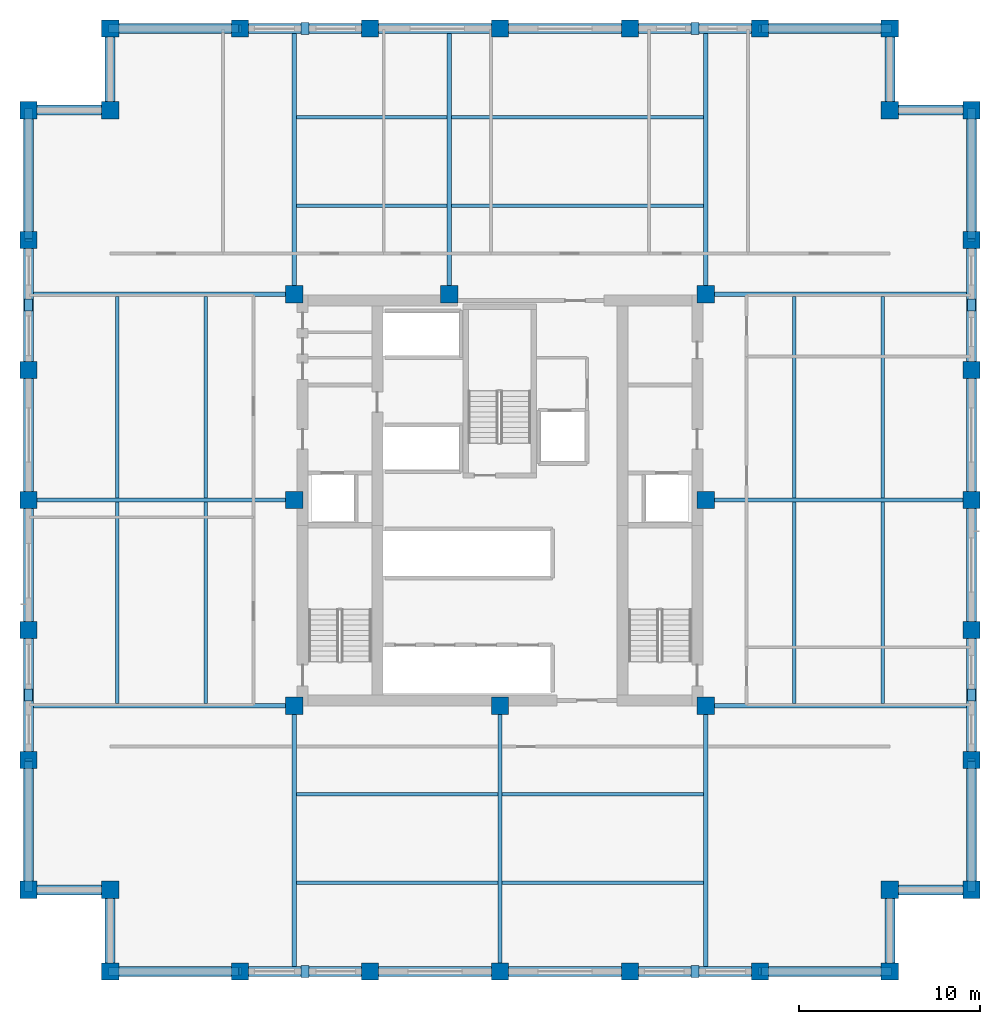
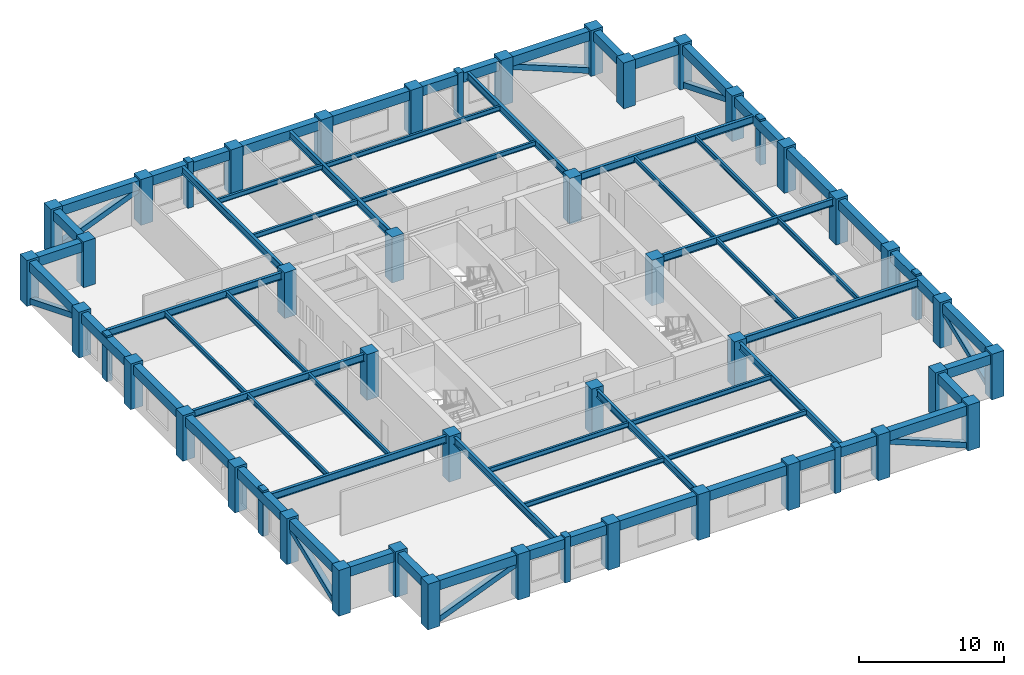
# One storey, part 1 of 9: 60 beams, 40 columns, 16 members.
"""IFC4 building model written with IfcOpenShell, lengths in metres."""

from ifc_helpers import new_model, si_unit, direction, frame, origin, origin_2d, place, context, subcontext, project, spatial, rectangle, hollow_rectangle, i_section, extrude, material, material_profile, profile_set, type_object, element, save


model = new_model("IFC4")

# Units and contexts
model_context = context("Model", 3, precision=1e-05, world=origin(), true_north=direction((0.0, 1.0)))
body_context = subcontext(model_context, "Body", "Model", "MODEL_VIEW")
ifc_project = project(units=[si_unit("LENGTHUNIT", "METRE"), si_unit("AREAUNIT", "SQUARE_METRE"), si_unit("VOLUMEUNIT", "CUBIC_METRE"), si_unit("PLANEANGLEUNIT", "RADIAN"), si_unit("MASSUNIT", "GRAM", prefix="KILO")], contexts=[model_context])

# Site, building, storey
site_placement = place(None, origin())
site = spatial("IfcSite", under=ifc_project, at=site_placement, CompositionType="ELEMENT")
building_placement = place(site_placement, origin())
building = spatial("IfcBuilding", under=site, at=building_placement, Name="Nhamokura Convention Tower", CompositionType="ELEMENT")
storey_placement = place(building_placement, frame((0.0, 0.0, 118.300048828125)))
storey = spatial("IfcBuildingStorey", under=building, at=storey_placement, Name="L28", CompositionType="ELEMENT", Elevation=118.300048828125)

# Columns
ifc_material_1 = material(Name="Concrete C60/75", Category="concrete")
ifc_material_profile_1 = material_profile(ifc_material_1, rectangle(XDim=0.949951171875, YDim=0.949951171875, at=origin_2d()))
ifc_profile_set_1 = profile_set([ifc_material_profile_1], Name="Concrete C60/75")
column_type = type_object("IfcColumnType", Name="TubeColumn_Z2_950", PredefinedType="COLUMN", material=ifc_profile_set_1)
for number, where, z_axis, x_axis, name in (
    (1, (20.64990234375, 20.64990234375, 0.0), (0.0, 0.0, 1.0), (1.0, 0.0, 0.0), "L28 Core Column CC-SW"),
    (2, (32.0, 20.64990234375, 0.0), (0.0, 0.0, 1.0), (1.0, 0.0, 0.0), "L28 Core Column CC-S"),
    (3, (43.35009765625, 20.64990234375, 0.0), (0.0, 0.0, 1.0), (1.0, 0.0, 0.0), "L28 Core Column CC-SE"),
    (4, (43.35009765625, 32.0, 0.0), (0.0, 0.0, 1.0), (1.0, 0.0, 0.0), "L28 Core Column CC-E"),
    (5, (43.35009765625, 43.35009765625, 0.0), (0.0, 0.0, 1.0), (1.0, 0.0, 0.0), "L28 Core Column CC-NE"),
    (6, (29.199951171875, 43.35009765625, 0.0), (0.0, 0.0, 1.0), (1.0, 0.0, 0.0), "L28 Core Column CC-N"),
    (7, (20.64990234375, 43.35009765625, 0.0), (0.0, 0.0, 1.0), (1.0, 0.0, 0.0), "L28 Core Column CC-NW"),
    (8, (20.64990234375, 32.0, 0.0), (0.0, 0.0, 1.0), (1.0, 0.0, 0.0), "L28 Core Column CC-W"),
    (9, (10.5, 6.0, 0.0), (0.0, 0.0, 1.0), (1.0, 0.0, 0.0), "L28 Perimeter Tube Column SW1"),
    (10, (10.5, 10.5, 0.0), (0.0, 0.0, 1.0), (1.0, 0.0, 0.0), "L28 Perimeter Tube Column SW0"),
    (11, (6.0, 10.5, 0.0), (0.0, 0.0, 1.0), (1.0, 0.0, 0.0), "L28 Perimeter Tube Column SW2"),
    (12, (53.5, 6.0, 0.0), (0.0, 0.0, 1.0), (1.0, 0.0, 0.0), "L28 Perimeter Tube Column SE1"),
    (13, (53.5, 10.5, 0.0), (0.0, 0.0, 1.0), (1.0, 0.0, 0.0), "L28 Perimeter Tube Column SE0"),
    (14, (58.0, 10.5, 0.0), (0.0, 0.0, 1.0), (1.0, 0.0, 0.0), "L28 Perimeter Tube Column SE2"),
    (15, (58.0, 53.5, 0.0), (0.0, 0.0, 1.0), (1.0, 0.0, 0.0), "L28 Perimeter Tube Column NE1"),
    (16, (53.5, 53.5, 0.0), (0.0, 0.0, 1.0), (1.0, 0.0, 0.0), "L28 Perimeter Tube Column NE0"),
    (17, (53.5, 58.0, 0.0), (0.0, 0.0, 1.0), (1.0, 0.0, 0.0), "L28 Perimeter Tube Column NE2"),
    (18, (10.5, 58.0, 0.0), (0.0, 0.0, 1.0), (1.0, 0.0, 0.0), "L28 Perimeter Tube Column NW1"),
    (19, (10.5, 53.5, 0.0), (0.0, 0.0, 1.0), (1.0, 0.0, 0.0), "L28 Perimeter Tube Column NW0"),
    (20, (6.0, 53.5, 0.0), (0.0, 0.0, 1.0), (1.0, 0.0, 0.0), "L28 Perimeter Tube Column NW2"),
    (21, (17.666748046875, 6.0, 0.0), (0.0, 0.0, 1.0), (1.0, 0.0, 0.0), "L28 Perimeter Tube Column S1"),
    (22, (17.666748046875, 58.0, 0.0), (0.0, 0.0, 1.0), (1.0, 0.0, 0.0), "L28 Perimeter Tube Column N1"),
    (23, (6.0, 17.666748046875, 0.0), (0.0, 0.0, 1.0), (1.0, 0.0, 0.0), "L28 Perimeter Tube Column W1"),
    (24, (58.0, 17.666748046875, 0.0), (0.0, 0.0, 1.0), (1.0, 0.0, 0.0), "L28 Perimeter Tube Column E1"),
    (25, (24.833251953125, 6.0, 0.0), (0.0, 0.0, 1.0), (1.0, 0.0, 0.0), "L28 Perimeter Tube Column S2"),
    (26, (24.833251953125, 58.0, 0.0), (0.0, 0.0, 1.0), (1.0, 0.0, 0.0), "L28 Perimeter Tube Column N2"),
    (27, (6.0, 24.833251953125, 0.0), (0.0, 0.0, 1.0), (1.0, 0.0, 0.0), "L28 Perimeter Tube Column W2"),
    (28, (58.0, 24.833251953125, 0.0), (0.0, 0.0, 1.0), (1.0, 0.0, 0.0), "L28 Perimeter Tube Column E2"),
    (29, (32.0, 6.0, 0.0), (0.0, 0.0, 1.0), (1.0, 0.0, 0.0), "L28 Perimeter Tube Column S3"),
    (30, (32.0, 58.0, 0.0), (0.0, 0.0, 1.0), (1.0, 0.0, 0.0), "L28 Perimeter Tube Column N3"),
    (31, (6.0, 32.0, 0.0), (0.0, 0.0, 1.0), (1.0, 0.0, 0.0), "L28 Perimeter Tube Column W3"),
    (32, (58.0, 32.0, 0.0), (0.0, 0.0, 1.0), (1.0, 0.0, 0.0), "L28 Perimeter Tube Column E3"),
    (33, (39.166748046875, 6.0, 0.0), (0.0, 0.0, 1.0), (1.0, 0.0, 0.0), "L28 Perimeter Tube Column S4"),
    (34, (39.166748046875, 58.0, 0.0), (0.0, 0.0, 1.0), (1.0, 0.0, 0.0), "L28 Perimeter Tube Column N4"),
    (35, (6.0, 39.166748046875, 0.0), (0.0, 0.0, 1.0), (1.0, 0.0, 0.0), "L28 Perimeter Tube Column W4"),
    (36, (58.0, 39.166748046875, 0.0), (0.0, 0.0, 1.0), (1.0, 0.0, 0.0), "L28 Perimeter Tube Column E4"),
    (37, (46.333251953125, 6.0, 0.0), (0.0, 0.0, 1.0), (1.0, 0.0, 0.0), "L28 Perimeter Tube Column S5"),
    (38, (46.333251953125, 58.0, 0.0), (0.0, 0.0, 1.0), (1.0, 0.0, 0.0), "L28 Perimeter Tube Column N5"),
    (39, (6.0, 46.333251953125, 0.0), (0.0, 0.0, 1.0), (1.0, 0.0, 0.0), "L28 Perimeter Tube Column W5"),
    (40, (58.0, 46.333251953125, 0.0), (0.0, 0.0, 1.0), (1.0, 0.0, 0.0), "L28 Perimeter Tube Column E5"),
):
    element("IfcColumn", number, at=place(storey_placement, frame(where, z_axis=z_axis, x_axis=x_axis)), inside=storey, type_object=column_type, Name=name, PredefinedType="COLUMN", context=body_context, shape_type="SweptSolid", body=[
        extrude(rectangle(XDim=0.949951171875, YDim=0.949951171875, at=origin_2d()), origin(), (0.0, 0.0, 1.0), 3.849853515625),
    ])

# Members
ifc_material_2 = material(Name="Bronze-pigmented precast concrete C45/55", Category="concrete")
ifc_material_profile_2 = material_profile(ifc_material_2, rectangle(XDim=0.449951171875, YDim=0.64990234375, at=origin_2d()))
ifc_profile_set_2 = profile_set([ifc_material_profile_2], Name="Bronze-pigmented precast concrete C45/55")
member_type_1 = type_object("IfcMemberType", Name="BronzePilaster_650", PredefinedType="USERDEFINED", material=ifc_profile_set_2)
for number, where, z_axis, x_axis, name in (
    (41, (21.25, 6.0, 0.0), (0.0, 0.0, 1.0), (1.0, 0.0, 0.0), "L28 Engaged Frame Pilaster SOUTH 1"),
    (42, (42.75, 6.0, 0.0), (0.0, 0.0, 1.0), (1.0, 0.0, 0.0), "L28 Engaged Frame Pilaster SOUTH 4"),
    (43, (21.25, 58.0, 0.0), (0.0, 0.0, 1.0), (1.0, 0.0, 0.0), "L28 Engaged Frame Pilaster NORTH 1"),
    (44, (42.75, 58.0, 0.0), (0.0, 0.0, 1.0), (1.0, 0.0, 0.0), "L28 Engaged Frame Pilaster NORTH 4"),
    (45, (6.0, 21.25, 0.0), (0.0, 0.0, 1.0), (1.0, 0.0, 0.0), "L28 Engaged Frame Pilaster WEST 1"),
    (46, (6.0, 42.75, 0.0), (0.0, 0.0, 1.0), (1.0, 0.0, 0.0), "L28 Engaged Frame Pilaster WEST 4"),
    (47, (58.0, 21.25, 0.0), (0.0, 0.0, 1.0), (1.0, 0.0, 0.0), "L28 Engaged Frame Pilaster EAST 1"),
    (48, (58.0, 42.75, 0.0), (0.0, 0.0, 1.0), (1.0, 0.0, 0.0), "L28 Engaged Frame Pilaster EAST 4"),
):
    element("IfcMember", number, at=place(storey_placement, frame(where, z_axis=z_axis, x_axis=x_axis)), inside=storey, type_object=member_type_1, Name=name, ObjectType="PILASTER_TRIM", PredefinedType="USERDEFINED", context=body_context, shape_type="SweptSolid", body=[
        extrude(rectangle(XDim=0.449951171875, YDim=0.64990234375, at=origin_2d()), origin(), (0.0, 0.0, 1.0), 3.849853515625),
    ])

# Beams
ifc_material_3 = material(Name="Steel ASTM A992 Gr 50", Category="steel")
ifc_material_profile_3 = material_profile(ifc_material_3, i_section(OverallWidth=0.177001953125, OverallDepth=0.403076171875, WebThickness=0.007568359375, FlangeThickness=0.010986328125, at=origin_2d()))
ifc_profile_set_3 = profile_set([ifc_material_profile_3], Name="Steel ASTM A992 Gr 50")
beam_type_1 = type_object("IfcBeamType", Name="FloorJoist_W410X53", PredefinedType="JOIST", material=ifc_profile_set_3)
for number, where, z_axis, x_axis, name in (
    (49, (20.761962890625, 10.88330078125, 3.4833984375), (1.0, 0.0, 0.0), (0.0, 1.0, 0.0), "L28 Composite Floor Joist S1A"),
    (50, (32.112060546875, 10.88330078125, 3.4833984375), (1.0, 0.0, 0.0), (0.0, 1.0, 0.0), "L28 Composite Floor Joist S1B"),
    (51, (20.761962890625, 15.7666015625, 3.4833984375), (1.0, 0.0, 0.0), (0.0, 1.0, 0.0), "L28 Composite Floor Joist S2A"),
    (52, (32.112060546875, 15.7666015625, 3.4833984375), (1.0, 0.0, 0.0), (0.0, 1.0, 0.0), "L28 Composite Floor Joist S2B"),
):
    element("IfcBeam", number, at=place(storey_placement, frame(where, z_axis=z_axis, x_axis=x_axis)), inside=storey, type_object=beam_type_1, Name=name, PredefinedType="JOIST", context=body_context, shape_type="SweptSolid", body=[
        extrude(i_section(OverallWidth=0.177001953125, OverallDepth=0.403076171875, WebThickness=0.007568359375, FlangeThickness=0.010986328125, at=origin_2d()), origin(), (0.0, 0.0, 1.0), 11.1259765625),
    ])
beam_1_placement = place(storey_placement, frame((20.761962890625, 48.2333984375, 3.4833984375), z_axis=(1.0, 0.0, 0.0), x_axis=(0.0, 1.0, 0.0)))
element("IfcBeam", 53, at=beam_1_placement, inside=storey, type_object=beam_type_1, Name="L28 Composite Floor Joist N1A", PredefinedType="JOIST", context=body_context, shape_type="SweptSolid", body=[
    extrude(i_section(OverallWidth=0.177001953125, OverallDepth=0.403076171875, WebThickness=0.007568359375, FlangeThickness=0.010986328125, at=origin_2d()), origin(), (0.0, 0.0, 1.0), 8.325927734375),
])
beam_2_placement = place(storey_placement, frame((29.31201171875, 48.2333984375, 3.4833984375), z_axis=(1.0, 0.0, 0.0), x_axis=(0.0, 1.0, 0.0)))
element("IfcBeam", 54, at=beam_2_placement, inside=storey, type_object=beam_type_1, Name="L28 Composite Floor Joist N1B", PredefinedType="JOIST", context=body_context, shape_type="SweptSolid", body=[
    extrude(i_section(OverallWidth=0.177001953125, OverallDepth=0.403076171875, WebThickness=0.007568359375, FlangeThickness=0.010986328125, at=origin_2d()), origin(), (0.0, 0.0, 1.0), 13.926025390625),
])
beam_3_placement = place(storey_placement, frame((20.761962890625, 53.11669921875, 3.4833984375), z_axis=(1.0, 0.0, 0.0), x_axis=(0.0, 1.0, 0.0)))
element("IfcBeam", 55, at=beam_3_placement, inside=storey, type_object=beam_type_1, Name="L28 Composite Floor Joist N2A", PredefinedType="JOIST", context=body_context, shape_type="SweptSolid", body=[
    extrude(i_section(OverallWidth=0.177001953125, OverallDepth=0.403076171875, WebThickness=0.007568359375, FlangeThickness=0.010986328125, at=origin_2d()), origin(), (0.0, 0.0, 1.0), 8.325927734375),
])
beam_4_placement = place(storey_placement, frame((29.31201171875, 53.11669921875, 3.4833984375), z_axis=(1.0, 0.0, 0.0), x_axis=(0.0, 1.0, 0.0)))
element("IfcBeam", 56, at=beam_4_placement, inside=storey, type_object=beam_type_1, Name="L28 Composite Floor Joist N2B", PredefinedType="JOIST", context=body_context, shape_type="SweptSolid", body=[
    extrude(i_section(OverallWidth=0.177001953125, OverallDepth=0.403076171875, WebThickness=0.007568359375, FlangeThickness=0.010986328125, at=origin_2d()), origin(), (0.0, 0.0, 1.0), 13.926025390625),
])
for number, where, z_axis, x_axis, name in (
    (57, (10.88330078125, 20.761962890625, 3.4833984375), (0.0, 1.0, 0.0), (-1.0, 0.0, 0.0), "L28 Composite Floor Joist W1A"),
    (58, (10.88330078125, 32.112060546875, 3.4833984375), (0.0, 1.0, 0.0), (-1.0, 0.0, 0.0), "L28 Composite Floor Joist W1B"),
    (59, (15.7666015625, 20.761962890625, 3.4833984375), (0.0, 1.0, 0.0), (-1.0, 0.0, 0.0), "L28 Composite Floor Joist W2A"),
    (60, (15.7666015625, 32.112060546875, 3.4833984375), (0.0, 1.0, 0.0), (-1.0, 0.0, 0.0), "L28 Composite Floor Joist W2B"),
    (61, (48.2333984375, 20.761962890625, 3.4833984375), (0.0, 1.0, 0.0), (-1.0, 0.0, 0.0), "L28 Composite Floor Joist E1A"),
    (62, (48.2333984375, 32.112060546875, 3.4833984375), (0.0, 1.0, 0.0), (-1.0, 0.0, 0.0), "L28 Composite Floor Joist E1B"),
    (63, (53.11669921875, 20.761962890625, 3.4833984375), (0.0, 1.0, 0.0), (-1.0, 0.0, 0.0), "L28 Composite Floor Joist E2A"),
    (64, (53.11669921875, 32.112060546875, 3.4833984375), (0.0, 1.0, 0.0), (-1.0, 0.0, 0.0), "L28 Composite Floor Joist E2B"),
):
    element("IfcBeam", number, at=place(storey_placement, frame(where, z_axis=z_axis, x_axis=x_axis)), inside=storey, type_object=beam_type_1, Name=name, PredefinedType="JOIST", context=body_context, shape_type="SweptSolid", body=[
        extrude(i_section(OverallWidth=0.177001953125, OverallDepth=0.403076171875, WebThickness=0.007568359375, FlangeThickness=0.010986328125, at=origin_2d()), origin(), (0.0, 0.0, 1.0), 11.1259765625),
    ])
ifc_material_4 = material(Name="Steel ASTM A992 Gr 50", Category="steel")
ifc_material_profile_4 = material_profile(ifc_material_4, i_section(OverallWidth=0.22802734375, OverallDepth=0.60791015625, WebThickness=0.01123046875, FlangeThickness=0.017333984375, at=origin_2d()))
ifc_profile_set_4 = profile_set([ifc_material_profile_4], Name="Steel ASTM A992 Gr 50")
beam_type_2 = type_object("IfcBeamType", Name="PrimaryGirder_W610X113", PredefinedType="BEAM", material=ifc_profile_set_4)
for number, where, z_axis, x_axis, name in (
    (65, (20.64990234375, 6.0, 3.380859375), (0.0, 1.0, 0.0), (-1.0, 0.0, 0.0), "L28 Primary Floor Girder PG-S1"),
    (66, (32.0, 6.0, 3.380859375), (0.0, 1.0, 0.0), (-1.0, 0.0, 0.0), "L28 Primary Floor Girder PG-S2"),
    (67, (43.35009765625, 6.0, 3.380859375), (0.0, 1.0, 0.0), (-1.0, 0.0, 0.0), "L28 Primary Floor Girder PG-S3"),
    (68, (20.64990234375, 43.35009765625, 3.380859375), (0.0, 1.0, 0.0), (-1.0, 0.0, 0.0), "L28 Primary Floor Girder PG-N1"),
    (69, (29.199951171875, 43.35009765625, 3.380859375), (0.0, 1.0, 0.0), (-1.0, 0.0, 0.0), "L28 Primary Floor Girder PG-N2"),
    (70, (43.35009765625, 43.35009765625, 3.380859375), (0.0, 1.0, 0.0), (-1.0, 0.0, 0.0), "L28 Primary Floor Girder PG-N3"),
    (71, (6.0, 20.64990234375, 3.380859375), (1.0, 0.0, 0.0), (0.0, 1.0, 0.0), "L28 Primary Floor Girder PG-W1"),
    (72, (6.0, 32.0, 3.380859375), (1.0, 0.0, 0.0), (0.0, 1.0, 0.0), "L28 Primary Floor Girder PG-W2"),
    (73, (6.0, 43.35009765625, 3.380859375), (1.0, 0.0, 0.0), (0.0, 1.0, 0.0), "L28 Primary Floor Girder PG-W3"),
    (74, (43.35009765625, 20.64990234375, 3.380859375), (1.0, 0.0, 0.0), (0.0, 1.0, 0.0), "L28 Primary Floor Girder PG-E1"),
    (75, (43.35009765625, 32.0, 3.380859375), (1.0, 0.0, 0.0), (0.0, 1.0, 0.0), "L28 Primary Floor Girder PG-E2"),
    (76, (43.35009765625, 43.35009765625, 3.380859375), (1.0, 0.0, 0.0), (0.0, 1.0, 0.0), "L28 Primary Floor Girder PG-E3"),
):
    element("IfcBeam", number, at=place(storey_placement, frame(where, z_axis=z_axis, x_axis=x_axis)), inside=storey, type_object=beam_type_2, Name=name, PredefinedType="BEAM", context=body_context, shape_type="SweptSolid", body=[
        extrude(i_section(OverallWidth=0.22802734375, OverallDepth=0.60791015625, WebThickness=0.01123046875, FlangeThickness=0.017333984375, at=origin_2d()), origin(), (0.0, 0.0, 1.0), 14.64990234375),
    ])

# Members
ifc_material_5 = material(Name="Steel ASTM A572 Gr 50", Category="steel")
ifc_material_profile_5 = material_profile(ifc_material_5, hollow_rectangle(XDim=0.449951171875, YDim=0.449951171875, WallThickness=0.02197265625, at=origin_2d()))
ifc_profile_set_5 = profile_set([ifc_material_profile_5], Name="Steel ASTM A572 Gr 50")
member_type_2 = type_object("IfcMemberType", Name="TubeBrace_HSS450", PredefinedType="BRACE", material=ifc_profile_set_5)
for number, where, z_axis, x_axis, name in (
    (77, (10.5, 6.0, 0.14990234375), (0.927657166893, 0.0, 0.373432966826), (0.0, 1.0, 0.0), "L28 Perimeter Tube Brace SOUTH Bay 0"),
    (78, (53.5, 6.0, 0.14990234375), (-0.927657166893, 0.0, 0.373432966826), (0.0, -1.0, 0.0), "L28 Perimeter Tube Brace SOUTH Bay 5"),
    (79, (10.5, 58.0, 0.14990234375), (0.927657166893, 0.0, 0.373432966826), (0.0, 1.0, 0.0), "L28 Perimeter Tube Brace NORTH Bay 0"),
    (80, (53.5, 58.0, 0.14990234375), (-0.927657166893, 0.0, 0.373432966826), (0.0, -1.0, 0.0), "L28 Perimeter Tube Brace NORTH Bay 5"),
    (81, (6.0, 10.5, 0.14990234375), (0.0, 0.927657166893, 0.373432966826), (-1.0, 0.0, 0.0), "L28 Perimeter Tube Brace WEST Bay 0"),
    (82, (6.0, 53.5, 0.14990234375), (0.0, -0.927657166893, 0.373432966826), (1.0, 0.0, 0.0), "L28 Perimeter Tube Brace WEST Bay 5"),
    (83, (58.0, 10.5, 0.14990234375), (0.0, 0.927657166893, 0.373432966826), (-1.0, 0.0, 0.0), "L28 Perimeter Tube Brace EAST Bay 0"),
    (84, (58.0, 53.5, 0.14990234375), (0.0, -0.927657166893, 0.373432966826), (1.0, 0.0, 0.0), "L28 Perimeter Tube Brace EAST Bay 5"),
):
    element("IfcMember", number, at=place(storey_placement, frame(where, z_axis=z_axis, x_axis=x_axis)), inside=storey, type_object=member_type_2, Name=name, PredefinedType="BRACE", context=body_context, shape_type="SweptSolid", body=[
        extrude(hollow_rectangle(XDim=0.449951171875, YDim=0.449951171875, WallThickness=0.02197265625, at=origin_2d()), origin(), (0.0, 0.0, 1.0), 7.7255859375),
    ])

# Beams
ifc_material_6 = material(Name="Concrete C50/60", Category="concrete")
ifc_material_profile_6 = material_profile(ifc_material_6, rectangle(XDim=0.550048828125, YDim=0.800048828125, at=origin_2d()))
ifc_profile_set_6 = profile_set([ifc_material_profile_6], Name="Concrete C50/60")
beam_type_3 = type_object("IfcBeamType", Name="TubeSpandrel_800", PredefinedType="SPANDREL", material=ifc_profile_set_6)
beam_5_placement = place(storey_placement, frame((10.5, 6.0, 3.284912109375), z_axis=(1.0, 0.0, 0.0), x_axis=(0.0, 1.0, 0.0)))
element("IfcBeam", 85, at=beam_5_placement, inside=storey, type_object=beam_type_3, Name="L28 Perimeter Spandrel SOUTH 1", PredefinedType="SPANDREL", context=body_context, shape_type="SweptSolid", body=[
    extrude(rectangle(XDim=0.550048828125, YDim=0.800048828125, at=origin_2d()), origin(), (0.0, 0.0, 1.0), 7.166748046875),
])
beam_6_placement = place(storey_placement, frame((17.666748046875, 6.0, 3.284912109375), z_axis=(1.0, 0.0, 0.0), x_axis=(0.0, 1.0, 0.0)))
element("IfcBeam", 86, at=beam_6_placement, inside=storey, type_object=beam_type_3, Name="L28 Perimeter Spandrel SOUTH 2", PredefinedType="SPANDREL", context=body_context, shape_type="SweptSolid", body=[
    extrude(rectangle(XDim=0.550048828125, YDim=0.800048828125, at=origin_2d()), origin(), (0.0, 0.0, 1.0), 7.16650390625),
])
for number, where, z_axis, x_axis, name in (
    (87, (24.833251953125, 6.0, 3.284912109375), (1.0, 0.0, 0.0), (0.0, 1.0, 0.0), "L28 Perimeter Spandrel SOUTH 3"),
    (88, (32.0, 6.0, 3.284912109375), (1.0, 0.0, 0.0), (0.0, 1.0, 0.0), "L28 Perimeter Spandrel SOUTH 4"),
):
    element("IfcBeam", number, at=place(storey_placement, frame(where, z_axis=z_axis, x_axis=x_axis)), inside=storey, type_object=beam_type_3, Name=name, PredefinedType="SPANDREL", context=body_context, shape_type="SweptSolid", body=[
        extrude(rectangle(XDim=0.550048828125, YDim=0.800048828125, at=origin_2d()), origin(), (0.0, 0.0, 1.0), 7.166748046875),
    ])
beam_7_placement = place(storey_placement, frame((39.166748046875, 6.0, 3.284912109375), z_axis=(1.0, 0.0, 0.0), x_axis=(0.0, 1.0, 0.0)))
element("IfcBeam", 89, at=beam_7_placement, inside=storey, type_object=beam_type_3, Name="L28 Perimeter Spandrel SOUTH 5", PredefinedType="SPANDREL", context=body_context, shape_type="SweptSolid", body=[
    extrude(rectangle(XDim=0.550048828125, YDim=0.800048828125, at=origin_2d()), origin(), (0.0, 0.0, 1.0), 7.16650390625),
])
for number, where, z_axis, x_axis, name in (
    (90, (46.333251953125, 6.0, 3.284912109375), (1.0, 0.0, 0.0), (0.0, 1.0, 0.0), "L28 Perimeter Spandrel SOUTH 6"),
    (91, (10.5, 58.0, 3.284912109375), (1.0, 0.0, 0.0), (0.0, 1.0, 0.0), "L28 Perimeter Spandrel NORTH 1"),
):
    element("IfcBeam", number, at=place(storey_placement, frame(where, z_axis=z_axis, x_axis=x_axis)), inside=storey, type_object=beam_type_3, Name=name, PredefinedType="SPANDREL", context=body_context, shape_type="SweptSolid", body=[
        extrude(rectangle(XDim=0.550048828125, YDim=0.800048828125, at=origin_2d()), origin(), (0.0, 0.0, 1.0), 7.166748046875),
    ])
beam_8_placement = place(storey_placement, frame((17.666748046875, 58.0, 3.284912109375), z_axis=(1.0, 0.0, 0.0), x_axis=(0.0, 1.0, 0.0)))
element("IfcBeam", 92, at=beam_8_placement, inside=storey, type_object=beam_type_3, Name="L28 Perimeter Spandrel NORTH 2", PredefinedType="SPANDREL", context=body_context, shape_type="SweptSolid", body=[
    extrude(rectangle(XDim=0.550048828125, YDim=0.800048828125, at=origin_2d()), origin(), (0.0, 0.0, 1.0), 7.16650390625),
])
for number, where, z_axis, x_axis, name in (
    (93, (24.833251953125, 58.0, 3.284912109375), (1.0, 0.0, 0.0), (0.0, 1.0, 0.0), "L28 Perimeter Spandrel NORTH 3"),
    (94, (32.0, 58.0, 3.284912109375), (1.0, 0.0, 0.0), (0.0, 1.0, 0.0), "L28 Perimeter Spandrel NORTH 4"),
):
    element("IfcBeam", number, at=place(storey_placement, frame(where, z_axis=z_axis, x_axis=x_axis)), inside=storey, type_object=beam_type_3, Name=name, PredefinedType="SPANDREL", context=body_context, shape_type="SweptSolid", body=[
        extrude(rectangle(XDim=0.550048828125, YDim=0.800048828125, at=origin_2d()), origin(), (0.0, 0.0, 1.0), 7.166748046875),
    ])
beam_9_placement = place(storey_placement, frame((39.166748046875, 58.0, 3.284912109375), z_axis=(1.0, 0.0, 0.0), x_axis=(0.0, 1.0, 0.0)))
element("IfcBeam", 95, at=beam_9_placement, inside=storey, type_object=beam_type_3, Name="L28 Perimeter Spandrel NORTH 5", PredefinedType="SPANDREL", context=body_context, shape_type="SweptSolid", body=[
    extrude(rectangle(XDim=0.550048828125, YDim=0.800048828125, at=origin_2d()), origin(), (0.0, 0.0, 1.0), 7.16650390625),
])
for number, where, z_axis, x_axis, name in (
    (96, (46.333251953125, 58.0, 3.284912109375), (1.0, 0.0, 0.0), (0.0, 1.0, 0.0), "L28 Perimeter Spandrel NORTH 6"),
    (97, (6.0, 10.5, 3.284912109375), (0.0, 1.0, 0.0), (-1.0, 0.0, 0.0), "L28 Perimeter Spandrel WEST 1"),
):
    element("IfcBeam", number, at=place(storey_placement, frame(where, z_axis=z_axis, x_axis=x_axis)), inside=storey, type_object=beam_type_3, Name=name, PredefinedType="SPANDREL", context=body_context, shape_type="SweptSolid", body=[
        extrude(rectangle(XDim=0.550048828125, YDim=0.800048828125, at=origin_2d()), origin(), (0.0, 0.0, 1.0), 7.166748046875),
    ])
beam_10_placement = place(storey_placement, frame((6.0, 17.666748046875, 3.284912109375), z_axis=(0.0, 1.0, 0.0), x_axis=(-1.0, 0.0, 0.0)))
element("IfcBeam", 98, at=beam_10_placement, inside=storey, type_object=beam_type_3, Name="L28 Perimeter Spandrel WEST 2", PredefinedType="SPANDREL", context=body_context, shape_type="SweptSolid", body=[
    extrude(rectangle(XDim=0.550048828125, YDim=0.800048828125, at=origin_2d()), origin(), (0.0, 0.0, 1.0), 7.16650390625),
])
for number, where, z_axis, x_axis, name in (
    (99, (6.0, 24.833251953125, 3.284912109375), (0.0, 1.0, 0.0), (-1.0, 0.0, 0.0), "L28 Perimeter Spandrel WEST 3"),
    (100, (6.0, 32.0, 3.284912109375), (0.0, 1.0, 0.0), (-1.0, 0.0, 0.0), "L28 Perimeter Spandrel WEST 4"),
):
    element("IfcBeam", number, at=place(storey_placement, frame(where, z_axis=z_axis, x_axis=x_axis)), inside=storey, type_object=beam_type_3, Name=name, PredefinedType="SPANDREL", context=body_context, shape_type="SweptSolid", body=[
        extrude(rectangle(XDim=0.550048828125, YDim=0.800048828125, at=origin_2d()), origin(), (0.0, 0.0, 1.0), 7.166748046875),
    ])
beam_11_placement = place(storey_placement, frame((6.0, 39.166748046875, 3.284912109375), z_axis=(0.0, 1.0, 0.0), x_axis=(-1.0, 0.0, 0.0)))
element("IfcBeam", 101, at=beam_11_placement, inside=storey, type_object=beam_type_3, Name="L28 Perimeter Spandrel WEST 5", PredefinedType="SPANDREL", context=body_context, shape_type="SweptSolid", body=[
    extrude(rectangle(XDim=0.550048828125, YDim=0.800048828125, at=origin_2d()), origin(), (0.0, 0.0, 1.0), 7.16650390625),
])
for number, where, z_axis, x_axis, name in (
    (102, (6.0, 46.333251953125, 3.284912109375), (0.0, 1.0, 0.0), (-1.0, 0.0, 0.0), "L28 Perimeter Spandrel WEST 6"),
    (103, (58.0, 10.5, 3.284912109375), (0.0, 1.0, 0.0), (-1.0, 0.0, 0.0), "L28 Perimeter Spandrel EAST 1"),
):
    element("IfcBeam", number, at=place(storey_placement, frame(where, z_axis=z_axis, x_axis=x_axis)), inside=storey, type_object=beam_type_3, Name=name, PredefinedType="SPANDREL", context=body_context, shape_type="SweptSolid", body=[
        extrude(rectangle(XDim=0.550048828125, YDim=0.800048828125, at=origin_2d()), origin(), (0.0, 0.0, 1.0), 7.166748046875),
    ])
beam_12_placement = place(storey_placement, frame((58.0, 17.666748046875, 3.284912109375), z_axis=(0.0, 1.0, 0.0), x_axis=(-1.0, 0.0, 0.0)))
element("IfcBeam", 104, at=beam_12_placement, inside=storey, type_object=beam_type_3, Name="L28 Perimeter Spandrel EAST 2", PredefinedType="SPANDREL", context=body_context, shape_type="SweptSolid", body=[
    extrude(rectangle(XDim=0.550048828125, YDim=0.800048828125, at=origin_2d()), origin(), (0.0, 0.0, 1.0), 7.16650390625),
])
for number, where, z_axis, x_axis, name in (
    (105, (58.0, 24.833251953125, 3.284912109375), (0.0, 1.0, 0.0), (-1.0, 0.0, 0.0), "L28 Perimeter Spandrel EAST 3"),
    (106, (58.0, 32.0, 3.284912109375), (0.0, 1.0, 0.0), (-1.0, 0.0, 0.0), "L28 Perimeter Spandrel EAST 4"),
):
    element("IfcBeam", number, at=place(storey_placement, frame(where, z_axis=z_axis, x_axis=x_axis)), inside=storey, type_object=beam_type_3, Name=name, PredefinedType="SPANDREL", context=body_context, shape_type="SweptSolid", body=[
        extrude(rectangle(XDim=0.550048828125, YDim=0.800048828125, at=origin_2d()), origin(), (0.0, 0.0, 1.0), 7.166748046875),
    ])
beam_13_placement = place(storey_placement, frame((58.0, 39.166748046875, 3.284912109375), z_axis=(0.0, 1.0, 0.0), x_axis=(-1.0, 0.0, 0.0)))
element("IfcBeam", 107, at=beam_13_placement, inside=storey, type_object=beam_type_3, Name="L28 Perimeter Spandrel EAST 5", PredefinedType="SPANDREL", context=body_context, shape_type="SweptSolid", body=[
    extrude(rectangle(XDim=0.550048828125, YDim=0.800048828125, at=origin_2d()), origin(), (0.0, 0.0, 1.0), 7.16650390625),
])
beam_14_placement = place(storey_placement, frame((58.0, 46.333251953125, 3.284912109375), z_axis=(0.0, 1.0, 0.0), x_axis=(-1.0, 0.0, 0.0)))
element("IfcBeam", 108, at=beam_14_placement, inside=storey, type_object=beam_type_3, Name="L28 Perimeter Spandrel EAST 6", PredefinedType="SPANDREL", context=body_context, shape_type="SweptSolid", body=[
    extrude(rectangle(XDim=0.550048828125, YDim=0.800048828125, at=origin_2d()), origin(), (0.0, 0.0, 1.0), 7.166748046875),
])
for number, where, z_axis, x_axis, name in (
    (109, (10.5, 6.0, 3.284912109375), (0.0, 1.0, 0.0), (-1.0, 0.0, 0.0), "L28 Notch Spandrel SW1"),
    (110, (10.5, 10.5, 3.284912109375), (-1.0, 0.0, 0.0), (0.0, -1.0, 0.0), "L28 Notch Spandrel SW2"),
    (111, (53.5, 6.0, 3.284912109375), (0.0, 1.0, 0.0), (-1.0, 0.0, 0.0), "L28 Notch Spandrel SE1"),
    (112, (53.5, 10.5, 3.284912109375), (1.0, 0.0, 0.0), (0.0, 1.0, 0.0), "L28 Notch Spandrel SE2"),
    (113, (58.0, 53.5, 3.284912109375), (-1.0, 0.0, 0.0), (0.0, -1.0, 0.0), "L28 Notch Spandrel NE1"),
    (114, (53.5, 53.5, 3.284912109375), (0.0, 1.0, 0.0), (-1.0, 0.0, 0.0), "L28 Notch Spandrel NE2"),
    (115, (10.5, 58.0, 3.284912109375), (0.0, -1.0, 0.0), (1.0, 0.0, 0.0), "L28 Notch Spandrel NW1"),
    (116, (10.5, 53.5, 3.284912109375), (-1.0, 0.0, 0.0), (0.0, -1.0, 0.0), "L28 Notch Spandrel NW2"),
):
    element("IfcBeam", number, at=place(storey_placement, frame(where, z_axis=z_axis, x_axis=x_axis)), inside=storey, type_object=beam_type_3, Name=name, PredefinedType="SPANDREL", context=body_context, shape_type="SweptSolid", body=[
        extrude(rectangle(XDim=0.550048828125, YDim=0.800048828125, at=origin_2d()), origin(), (0.0, 0.0, 1.0), 4.5),
    ])

save(model, "model.ifc")
